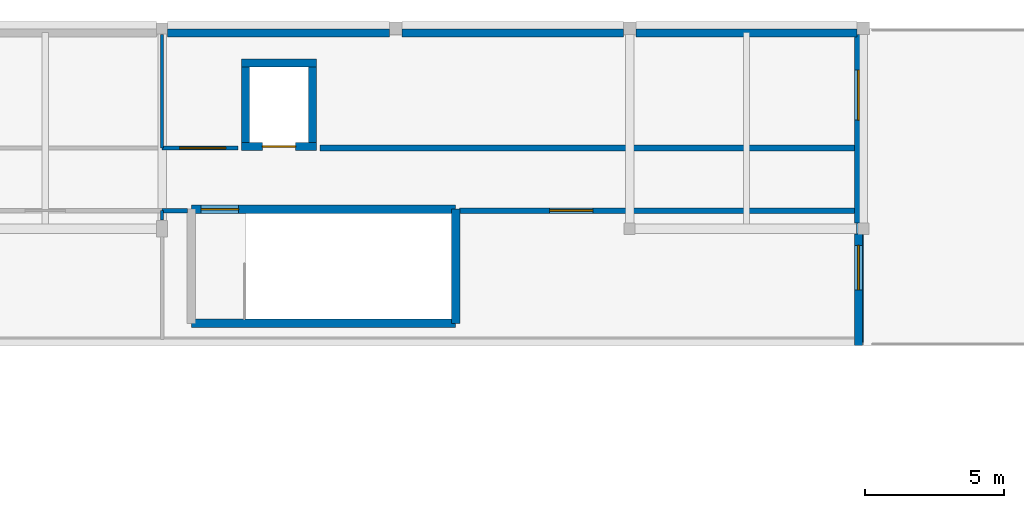
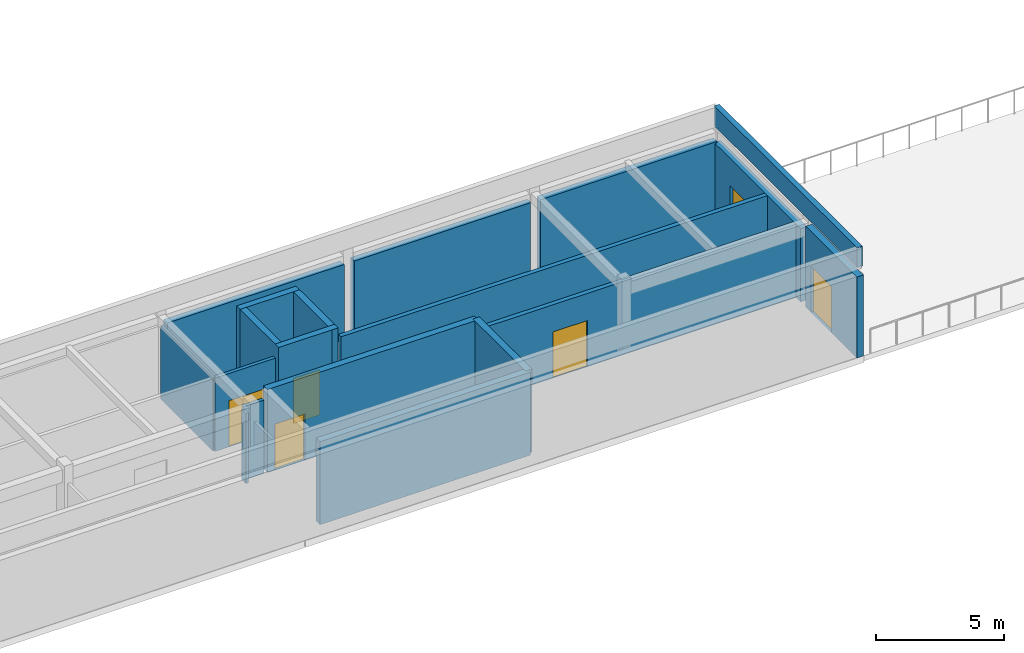
# One storey, part 5 of 6: 19 walls, 6 doors, 6 openings.
"""IFC4 building model written with IfcOpenShell, lengths in metres."""

from ifc_helpers import new_model, si_unit, direction, frame, frame_2d, origin, place, context, subcontext, project, spatial, rectangle, extrude, material, layer, layer_set, type_object, element, fill, save


model = new_model("IFC4")

# Units and contexts
model_context = context("Model", 3, precision=1e-05, world=origin(), true_north=direction((0.0, 1.0)))
body_context = subcontext(model_context, "Body", "Model", "MODEL_VIEW")
ifc_project = project(units=[si_unit("LENGTHUNIT", "METRE"), si_unit("AREAUNIT", "SQUARE_METRE"), si_unit("VOLUMEUNIT", "CUBIC_METRE"), si_unit("PLANEANGLEUNIT", "RADIAN"), si_unit("MASSUNIT", "GRAM", prefix="KILO")], contexts=[model_context])

# Site, building, storey
site_placement = place(None, origin())
site = spatial("IfcSite", under=ifc_project, at=site_placement, CompositionType="ELEMENT")
building_placement = place(site_placement, origin())
building = spatial("IfcBuilding", under=site, at=building_placement, Name="Malvenik Polytechnic", CompositionType="ELEMENT")
storey_placement = place(building_placement, frame((0.0, 0.0, 26.10009765625)))
storey = spatial("IfcBuildingStorey", under=building, at=storey_placement, Name="L06", CompositionType="ELEMENT", Elevation=26.10009765625)

# Wall, opening, door
ifc_material_1 = material(Name="Concrete C35/45", Category="concrete")
ifc_layer_1 = layer(ifc_material_1, 0.280029296875)
ifc_layer_set_1 = layer_set([ifc_layer_1], Name="Concrete C35/45")
wall_type_1 = type_object("IfcWallType", Name="ARC-CW-S280", PredefinedType="SHEAR", material=ifc_layer_set_1)
wall_1_placement = place(storey_placement, frame((55.93994140625, 125.35009765625, 0.0), z_axis=(0.0, 0.0, 1.0), x_axis=(-1.0, 0.0, 0.0)))
wall_1 = element("IfcWall", 1, at=wall_1_placement, inside=storey, type_object=wall_type_1, Name="Lift Shaft Shear Wall LS-02 L06 -Y", PredefinedType="SHEAR", context=body_context, shape_type="SweptSolid", body=[
    extrude(rectangle(XDim=2.679931640625, YDim=0.280029296875, at=frame_2d((1.33984375, 0.0))), origin(), (0.0, 0.0, 1.0), 3.9599609375),
])
opening_1_placement = place(wall_1_placement, frame((0.739990234375, 0.0, 0.0)))
opening_1 = element("IfcOpeningElement", 2, at=opening_1_placement, cuts=wall_1, Name="Opening LD-02", PredefinedType="OPENING", context=body_context, shape_type="SweptSolid", body=[
    extrude(rectangle(XDim=1.199951171875, YDim=2.14990234375, at=frame_2d((0.60009765625, 1.074951171875))), frame((0.0, 0.14990234375, 0.0), z_axis=(0.0, -1.0, 0.0), x_axis=(1.0, 0.0, 0.0)), (0.0, 0.0, 1.0), 0.300048828125),
])
ifc_material_2 = material(Name="Stainless steel fire-rated sliding lift landing door", Category="steel")
door_type_1 = type_object("IfcDoorType", Name="ARC-LDR-LD-02", OperationType="NOTDEFINED", PredefinedType="DOOR", material=ifc_material_2)
door_1_placement = place(opening_1_placement, origin())
door_1 = element("IfcDoor", 3, at=door_1_placement, inside=storey, type_object=door_type_1, Name="Lift Sliding Landing Door LS-02 L06", OperationType="DOUBLE_DOOR_SLIDING", OverallHeight=2.14990234375, OverallWidth=1.199951171875, PredefinedType="DOOR", context=body_context, shape_type="SweptSolid", body=[
    extrude(rectangle(XDim=1.199951171875, YDim=2.14990234375, at=frame_2d((0.60009765625, 1.074951171875))), frame((0.0, 0.02490234375, 0.0), z_axis=(0.0, -1.0, 0.0), x_axis=(1.0, 0.0, 0.0)), (0.0, 0.0, 1.0), 0.050048828125),
])
fill(opening_1, door_1)

# Walls
wall_2_placement = place(storey_placement, frame((53.260009765625, 128.35009765625, 0.0), z_axis=(0.0, 0.0, 1.0), x_axis=(1.0, 0.0, 0.0)))
element("IfcWall", 4, at=wall_2_placement, inside=storey, type_object=wall_type_1, Name="Lift Shaft Shear Wall LS-02 L06 +Y", PredefinedType="SHEAR", context=body_context, shape_type="SweptSolid", body=[
    extrude(rectangle(XDim=2.679931640625, YDim=0.280029296875, at=frame_2d((1.33984375, 0.0))), origin(), (0.0, 0.0, 1.0), 3.9599609375),
])
for number, where, z_axis, x_axis, name in (
    (5, (53.39990234375, 125.2099609375, 0.0), (0.0, 0.0, 1.0), (0.0, 1.0, 0.0), "Lift Shaft Shear Wall LS-02 L06 -X"),
    (6, (55.800048828125, 128.489990234375, 0.0), (0.0, 0.0, 1.0), (0.0, -1.0, 0.0), "Lift Shaft Shear Wall LS-02 L06 +X"),
):
    element("IfcWall", number, at=place(storey_placement, frame(where, z_axis=z_axis, x_axis=x_axis)), inside=storey, type_object=wall_type_1, Name=name, PredefinedType="SHEAR", context=body_context, shape_type="SweptSolid", body=[
        extrude(rectangle(XDim=3.280029296875, YDim=0.280029296875, at=frame_2d((1.64013671875, 0.0))), origin(), (0.0, 0.0, 1.0), 3.9599609375),
    ])

# Wall, opening, door
ifc_layer_2 = layer(ifc_material_1, 0.300048828125)
ifc_layer_set_2 = layer_set([ifc_layer_2], Name="Concrete C35/45")
wall_type_2 = type_object("IfcWallType", Name="ARC-CW-S300", PredefinedType="SHEAR", material=ifc_layer_set_2)
wall_3_placement = place(storey_placement, frame((51.449951171875, 123.10009765625, 0.0), z_axis=(0.0, 0.0, 1.0), x_axis=(1.0, 0.0, 0.0)))
wall_3 = element("IfcWall", 7, at=wall_3_placement, inside=storey, type_object=wall_type_2, Name="Stair Core Shear Wall ST-02 L06 RGHT", PredefinedType="SHEAR", context=body_context, shape_type="SweptSolid", body=[
    extrude(rectangle(XDim=9.5, YDim=0.300048828125, at=frame_2d((4.75, 0.0))), origin(), (0.0, 0.0, 1.0), 3.9599609375),
])
opening_2_placement = place(wall_3_placement, frame((0.35009765625, 0.0, 0.0)))
opening_2 = element("IfcOpeningElement", 8, at=opening_2_placement, cuts=wall_3, Name="Opening SD-01", PredefinedType="OPENING", context=body_context, shape_type="SweptSolid", body=[
    extrude(rectangle(XDim=1.35009765625, YDim=2.199951171875, at=frame_2d((0.675048828125, 1.10009765625))), frame((0.0, 0.16015625, 0.0), z_axis=(0.0, -1.0, 0.0), x_axis=(1.0, 0.0, 0.0)), (0.0, 0.0, 1.0), 0.320068359375),
])
ifc_material_3 = material(Name="Fire-rated steel stair enclosure door", Category="steel")
door_type_2 = type_object("IfcDoorType", Name="ARC-IDR-SD-01", OperationType="NOTDEFINED", PredefinedType="DOOR", material=ifc_material_3)
door_2_placement = place(opening_2_placement, origin())
door_2 = element("IfcDoor", 9, at=door_2_placement, inside=storey, type_object=door_type_2, Name="Fire Stair Door ST-02 L06", OperationType="SINGLE_SWING_LEFT", OverallHeight=2.199951171875, OverallWidth=1.35009765625, PredefinedType="DOOR", context=body_context, shape_type="SweptSolid", body=[
    extrude(rectangle(XDim=1.35009765625, YDim=2.199951171875, at=frame_2d((0.675048828125, 1.10009765625))), frame((0.0, 0.02490234375, 0.0), z_axis=(0.0, -1.0, 0.0), x_axis=(1.0, 0.0, 0.0)), (0.0, 0.0, 1.0), 0.050048828125),
])
fill(opening_2, door_2)

# Walls
wall_4_placement = place(storey_placement, frame((60.949951171875, 123.10009765625, 0.0), z_axis=(0.0, 0.0, 1.0), x_axis=(0.0, -1.0, 0.0)))
element("IfcWall", 10, at=wall_4_placement, inside=storey, type_object=wall_type_2, Name="Stair Core Shear Wall ST-02 L06 FAR", PredefinedType="SHEAR", context=body_context, shape_type="SweptSolid", body=[
    extrude(rectangle(XDim=4.10009765625, YDim=0.300048828125, at=frame_2d((2.050048828125, 0.0))), origin(), (0.0, 0.0, 1.0), 3.9599609375),
])
wall_5_placement = place(storey_placement, frame((60.949951171875, 119.0, 0.0), z_axis=(0.0, 0.0, 1.0), x_axis=(-1.0, 0.0, 0.0)))
element("IfcWall", 11, at=wall_5_placement, inside=storey, type_object=wall_type_2, Name="Stair Core Shear Wall ST-02 L06 LEFT", PredefinedType="SHEAR", context=body_context, shape_type="SweptSolid", body=[
    extrude(rectangle(XDim=9.5, YDim=0.300048828125, at=frame_2d((4.75, 0.0))), origin(), (0.0, 0.0, 1.0), 3.9599609375),
])
ifc_material_4 = material(Name="Brick masonry M15", Category="masonry")
ifc_layer_3 = layer(ifc_material_4, 0.2900390625)
ifc_layer_set_3 = layer_set([ifc_layer_3], Name="Brick masonry M15")
wall_type_3 = type_object("IfcWallType", Name="ARC-EW-290", PredefinedType="SOLIDWALL", material=ifc_layer_set_3)
wall_6_placement = place(storey_placement, frame((50.597900390625, 129.429931640625, 0.0), z_axis=(0.0, 0.0, 1.0), x_axis=(1.0, 0.0, 0.0)))
element("IfcWall", 12, at=wall_6_placement, inside=storey, type_object=wall_type_3, Name="External Facade Wall EW-04 L06 #500", PredefinedType="SOLIDWALL", context=body_context, shape_type="SweptSolid", body=[
    extrude(rectangle(XDim=7.97900390625, YDim=0.2900390625, at=frame_2d((3.989501953125, 0.0))), origin(), (0.0, 0.0, 1.0), 3.58984375),
])
wall_7_placement = place(storey_placement, frame((59.02294921875, 129.429931640625, 0.0), z_axis=(0.0, 0.0, 1.0), x_axis=(1.0, 0.0, 0.0)))
element("IfcWall", 13, at=wall_7_placement, inside=storey, type_object=wall_type_3, Name="External Facade Wall EW-04 L06 #501", PredefinedType="SOLIDWALL", context=body_context, shape_type="SweptSolid", body=[
    extrude(rectangle(XDim=7.9541015625, YDim=0.2900390625, at=frame_2d((3.97705078125, 0.0))), origin(), (0.0, 0.0, 1.0), 3.58984375),
])
wall_8_placement = place(storey_placement, frame((67.423095703125, 129.429931640625, 0.0), z_axis=(0.0, 0.0, 1.0), x_axis=(1.0, 0.0, 0.0)))
element("IfcWall", 14, at=wall_8_placement, inside=storey, type_object=wall_type_3, Name="External Facade Wall EW-04 L06 #502", PredefinedType="SOLIDWALL", context=body_context, shape_type="SweptSolid", body=[
    extrude(rectangle(XDim=7.953857421875, YDim=0.2900390625, at=frame_2d((3.97705078125, 0.0))), origin(), (0.0, 0.0, 1.0), 3.56982421875),
])

# Wall, opening, door
wall_9_placement = place(storey_placement, frame((75.429931640625, 129.376953125, 0.0), z_axis=(0.0, 0.0, 1.0), x_axis=(0.0, -1.0, 0.0)))
wall_9 = element("IfcWall", 15, at=wall_9_placement, inside=storey, type_object=wall_type_3, Name="External Facade Wall EW-04 L06 #503", PredefinedType="SOLIDWALL", context=body_context, shape_type="SweptSolid", body=[
    extrude(rectangle(XDim=6.779052734375, YDim=0.2900390625, at=frame_2d((3.3896484375, 0.0))), origin(), (0.0, 0.0, 1.0), 3.5),
])
opening_3_placement = place(wall_9_placement, frame((1.277099609375, 0.0, 0.0)))
opening_3 = element("IfcOpeningElement", 16, at=opening_3_placement, cuts=wall_9, Name="Opening TD-01", PredefinedType="OPENING", context=body_context, shape_type="SweptSolid", body=[
    extrude(rectangle(XDim=1.800048828125, YDim=2.199951171875, at=frame_2d((0.89990234375, 1.10009765625))), frame((0.0, 0.155029296875, 0.0), z_axis=(0.0, -1.0, 0.0), x_axis=(1.0, 0.0, 0.0)), (0.0, 0.0, 1.0), 0.31005859375),
])
ifc_material_5 = material(Name="Thermally broken glazed aluminium terrace door", Category="aluminium")
door_type_3 = type_object("IfcDoorType", Name="ARC-EDR-TD-01", OperationType="NOTDEFINED", PredefinedType="DOOR", material=ifc_material_5)
door_3_placement = place(opening_3_placement, origin())
door_3 = element("IfcDoor", 17, at=door_3_placement, inside=storey, type_object=door_type_3, Name="External Door TD-01 L06 #50", OperationType="DOUBLE_DOOR_SINGLE_SWING", OverallHeight=2.199951171875, OverallWidth=1.800048828125, PredefinedType="DOOR", context=body_context, shape_type="SweptSolid", body=[
    extrude(rectangle(XDim=1.800048828125, YDim=2.199951171875, at=frame_2d((0.89990234375, 1.10009765625))), frame((0.0, 0.02490234375, 0.0), z_axis=(0.0, -1.0, 0.0), x_axis=(1.0, 0.0, 0.0)), (0.0, 0.0, 1.0), 0.050048828125),
])
fill(opening_3, door_3)

wall_10_placement = place(storey_placement, frame((75.429931640625, 122.201904296875, 0.0), z_axis=(0.0, 0.0, 1.0), x_axis=(0.0, -1.0, 0.0)))
wall_10 = element("IfcWall", 18, at=wall_10_placement, inside=storey, type_object=wall_type_3, Name="External Facade Wall EW-04 L06 #504", PredefinedType="SOLIDWALL", context=body_context, shape_type="SweptSolid", body=[
    extrude(rectangle(XDim=4.001953125, YDim=0.2900390625, at=frame_2d((2.0009765625, 0.0))), origin(), (0.0, 0.0, 1.0), 3.85986328125),
])
opening_4_placement = place(wall_10_placement, frame((0.402099609375, 0.0, 0.0)))
opening_4 = element("IfcOpeningElement", 19, at=opening_4_placement, cuts=wall_10, Name="Opening TD-02", PredefinedType="OPENING", context=body_context, shape_type="SweptSolid", body=[
    extrude(rectangle(XDim=1.60009765625, YDim=2.199951171875, at=frame_2d((0.800048828125, 1.10009765625))), frame((0.0, 0.155029296875, 0.0), z_axis=(0.0, -1.0, 0.0), x_axis=(1.0, 0.0, 0.0)), (0.0, 0.0, 1.0), 0.31005859375),
])
door_type_4 = type_object("IfcDoorType", Name="ARC-EDR-TD-02", OperationType="NOTDEFINED", PredefinedType="DOOR", material=ifc_material_5)
door_4_placement = place(opening_4_placement, origin())
door_4 = element("IfcDoor", 20, at=door_4_placement, inside=storey, type_object=door_type_4, Name="External Door TD-02 L06 #51", OperationType="DOUBLE_DOOR_SINGLE_SWING", OverallHeight=2.199951171875, OverallWidth=1.60009765625, PredefinedType="DOOR", context=body_context, shape_type="SweptSolid", body=[
    extrude(rectangle(XDim=1.60009765625, YDim=2.199951171875, at=frame_2d((0.800048828125, 1.10009765625))), frame((0.0, 0.02490234375, 0.0), z_axis=(0.0, -1.0, 0.0), x_axis=(1.0, 0.0, 0.0)), (0.0, 0.0, 1.0), 0.050048828125),
])
fill(opening_4, door_4)

# Wall
ifc_material_6 = material(Name="Calcium silicate fire-rated blockwork 200mm", Category="masonry")
ifc_layer_4 = layer(ifc_material_6, 0.199951171875)
ifc_layer_set_4 = layer_set([ifc_layer_4], Name="Calcium silicate fire-rated blockwork 200mm")
wall_type_4 = type_object("IfcWallType", Name="ARC-FW-200", PredefinedType="SOLIDWALL", material=ifc_layer_set_4)
wall_11_placement = place(storey_placement, frame((56.070068359375, 125.300048828125, 0.0), z_axis=(0.0, 0.0, 1.0), x_axis=(1.0, 0.0, 0.0)))
element("IfcWall", 21, at=wall_11_placement, inside=storey, type_object=wall_type_4, Name="Interior Partition FW-02 L06 #424", PredefinedType="SOLIDWALL", context=body_context, shape_type="SweptSolid", body=[
    extrude(rectangle(XDim=19.309814453125, YDim=0.199951171875, at=frame_2d((9.65478515625, 0.0))), origin(), (0.0, 0.0, 1.0), 3.494873046875),
])

# Wall, opening, door
wall_12_placement = place(storey_placement, frame((75.3798828125, 123.050048828125, 0.0), z_axis=(0.0, 0.0, 1.0), x_axis=(-1.0, 0.0, 0.0)))
wall_12 = element("IfcWall", 22, at=wall_12_placement, inside=storey, type_object=wall_type_4, Name="Interior Partition FW-02 L06 #438", PredefinedType="SOLIDWALL", context=body_context, shape_type="SweptSolid", body=[
    extrude(rectangle(XDim=14.289794921875, YDim=0.199951171875, at=frame_2d((7.14501953125, 0.0))), origin(), (0.0, 0.0, 1.0), 3.494873046875),
])
opening_5_placement = place(wall_12_placement, frame((9.5048828125, 0.0, 0.0)))
opening_5 = element("IfcOpeningElement", 23, at=opening_5_placement, cuts=wall_12, Name="Opening FD-09", PredefinedType="OPENING", context=body_context, shape_type="SweptSolid", body=[
    extrude(rectangle(XDim=1.550048828125, YDim=2.199951171875, at=frame_2d((0.77490234375, 1.10009765625))), frame((0.0, 0.10986328125, 0.0), z_axis=(0.0, -1.0, 0.0), x_axis=(1.0, 0.0, 0.0)), (0.0, 0.0, 1.0), 0.219970703125),
])
ifc_material_7 = material(Name="Fire-rated studio corridor double door", Category="steel")
door_type_5 = type_object("IfcDoorType", Name="ARC-IDR-FD-09", OperationType="NOTDEFINED", PredefinedType="DOOR", material=ifc_material_7)
door_5_placement = place(opening_5_placement, origin())
door_5 = element("IfcDoor", 24, at=door_5_placement, inside=storey, type_object=door_type_5, Name="Interior Door FD-09 L06 #182", OperationType="DOUBLE_DOOR_SINGLE_SWING", OverallHeight=2.199951171875, OverallWidth=1.550048828125, PredefinedType="DOOR", context=body_context, shape_type="SweptSolid", body=[
    extrude(rectangle(XDim=1.550048828125, YDim=2.199951171875, at=frame_2d((0.77490234375, 1.10009765625))), frame((0.0, 0.02490234375, 0.0), z_axis=(0.0, -1.0, 0.0), x_axis=(1.0, 0.0, 0.0)), (0.0, 0.0, 1.0), 0.050048828125),
])
fill(opening_5, door_5)

# Walls
ifc_material_8 = material(Name="Lightweight gypsum partition 110mm", Category="gypsum")
ifc_layer_5 = layer(ifc_material_8, 0.110107421875)
ifc_layer_set_5 = layer_set([ifc_layer_5], Name="Lightweight gypsum partition 110mm")
wall_type_5 = type_object("IfcWallType", Name="ARC-PW-110", PredefinedType="PARTITIONING", material=ifc_layer_set_5)
wall_13_placement = place(storey_placement, frame((50.39990234375, 125.300048828125, 0.0), z_axis=(0.0, 0.0, 1.0), x_axis=(0.0, 1.0, 0.0)))
element("IfcWall", 25, at=wall_13_placement, inside=storey, type_object=wall_type_5, Name="Interior Partition PW-04I L06 #422", PredefinedType="PARTITIONING", context=body_context, shape_type="SweptSolid", body=[
    extrude(rectangle(XDim=4.079833984375, YDim=0.110107421875, at=frame_2d((2.0400390625, 0.0))), origin(), (0.0, 0.0, 1.0), 3.494873046875),
])
wall_14_placement = place(storey_placement, frame((50.39990234375, 122.719970703125, 0.0), z_axis=(0.0, 0.0, 1.0), x_axis=(0.0, 1.0, 0.0)))
element("IfcWall", 26, at=wall_14_placement, inside=storey, type_object=wall_type_5, Name="Interior Partition PW-04I L06 #437", PredefinedType="PARTITIONING", context=body_context, shape_type="SweptSolid", body=[
    extrude(rectangle(XDim=0.330078125, YDim=0.110107421875, at=frame_2d((0.1650390625, 0.0))), origin(), (0.0, 0.0, 1.0), 3.344970703125),
])

# Wall, opening, door
ifc_material_9 = material(Name="Double-stud acoustic gypsum board partition 160mm", Category="gypsum")
ifc_layer_6 = layer(ifc_material_9, 0.159912109375)
ifc_layer_set_6 = layer_set([ifc_layer_6], Name="Double-stud acoustic gypsum board partition 160mm")
wall_type_6 = type_object("IfcWallType", Name="ARC-PW-160", PredefinedType="PARTITIONING", material=ifc_layer_set_6)
wall_15_placement = place(storey_placement, frame((50.39990234375, 125.300048828125, 0.0), z_axis=(0.0, 0.0, 1.0), x_axis=(1.0, 0.0, 0.0)))
wall_15 = element("IfcWall", 27, at=wall_15_placement, inside=storey, type_object=wall_type_6, Name="Interior Partition PW-01I L06 #423", PredefinedType="PARTITIONING", context=body_context, shape_type="SweptSolid", body=[
    extrude(rectangle(XDim=2.72998046875, YDim=0.159912109375, at=frame_2d((1.364990234375, 0.0))), origin(), (0.0, 0.0, 1.0), 3.494873046875),
])
opening_6_placement = place(wall_15_placement, frame((0.6298828125, 0.0, 0.0)))
opening_6 = element("IfcOpeningElement", 28, at=opening_6_placement, cuts=wall_15, Name="Opening FD-03", PredefinedType="OPENING", context=body_context, shape_type="SweptSolid", body=[
    extrude(rectangle(XDim=1.64990234375, YDim=2.199951171875, at=frame_2d((0.824951171875, 1.10009765625))), frame((0.0, 0.08984375, 0.0), z_axis=(0.0, -1.0, 0.0), x_axis=(1.0, 0.0, 0.0)), (0.0, 0.0, 1.0), 0.179931640625),
])
ifc_material_10 = material(Name="Fire-rated double-leaf laboratory door", Category="steel")
door_type_6 = type_object("IfcDoorType", Name="ARC-IDR-FD-03", OperationType="NOTDEFINED", PredefinedType="DOOR", material=ifc_material_10)
door_6_placement = place(opening_6_placement, origin())
door_6 = element("IfcDoor", 29, at=door_6_placement, inside=storey, type_object=door_type_6, Name="Interior Door FD-03 L06 #177", OperationType="DOUBLE_DOOR_SINGLE_SWING", OverallHeight=2.199951171875, OverallWidth=1.64990234375, PredefinedType="DOOR", context=body_context, shape_type="SweptSolid", body=[
    extrude(rectangle(XDim=1.64990234375, YDim=2.199951171875, at=frame_2d((0.824951171875, 1.10009765625))), frame((0.0, 0.02490234375, 0.0), z_axis=(0.0, -1.0, 0.0), x_axis=(1.0, 0.0, 0.0)), (0.0, 0.0, 1.0), 0.050048828125),
])
fill(opening_6, door_6)

# Walls
wall_16_placement = place(storey_placement, frame((51.31005859375, 123.050048828125, 0.0), z_axis=(0.0, 0.0, 1.0), x_axis=(-1.0, 0.0, 0.0)))
element("IfcWall", 30, at=wall_16_placement, inside=storey, type_object=wall_type_6, Name="Interior Partition PW-01I L06 #439", PredefinedType="PARTITIONING", context=body_context, shape_type="SweptSolid", body=[
    extrude(rectangle(XDim=0.91015625, YDim=0.159912109375, at=frame_2d((0.455078125, 0.0))), origin(), (0.0, 0.0, 1.0), 3.494873046875),
])
ifc_material_11 = material(Name="Precast concrete C40/50", Category="concrete")
ifc_layer_7 = layer(ifc_material_11, 0.239990234375)
ifc_layer_set_7 = layer_set([ifc_layer_7], Name="Precast concrete C40/50")
wall_type_7 = type_object("IfcWallType", Name="ARC-PW-240", PredefinedType="PARAPET", material=ifc_layer_set_7)
wall_17_placement = place(storey_placement, frame((75.47998046875, 129.47998046875, 4.199951171875), z_axis=(0.0, 0.0, 1.0), x_axis=(0.0, -1.0, 0.0)))
element("IfcWall", 31, at=wall_17_placement, inside=storey, type_object=wall_type_7, Name="Roof Parapet Wall PW-01 #2", PredefinedType="PARAPET", context=body_context, shape_type="SweptSolid", body=[
    extrude(rectangle(XDim=11.159912109375, YDim=0.239990234375, at=frame_2d((5.580078125, 0.0))), origin(), (0.0, 0.0, 1.0), 0.949951171875),
])

save(model, "model.ifc")
